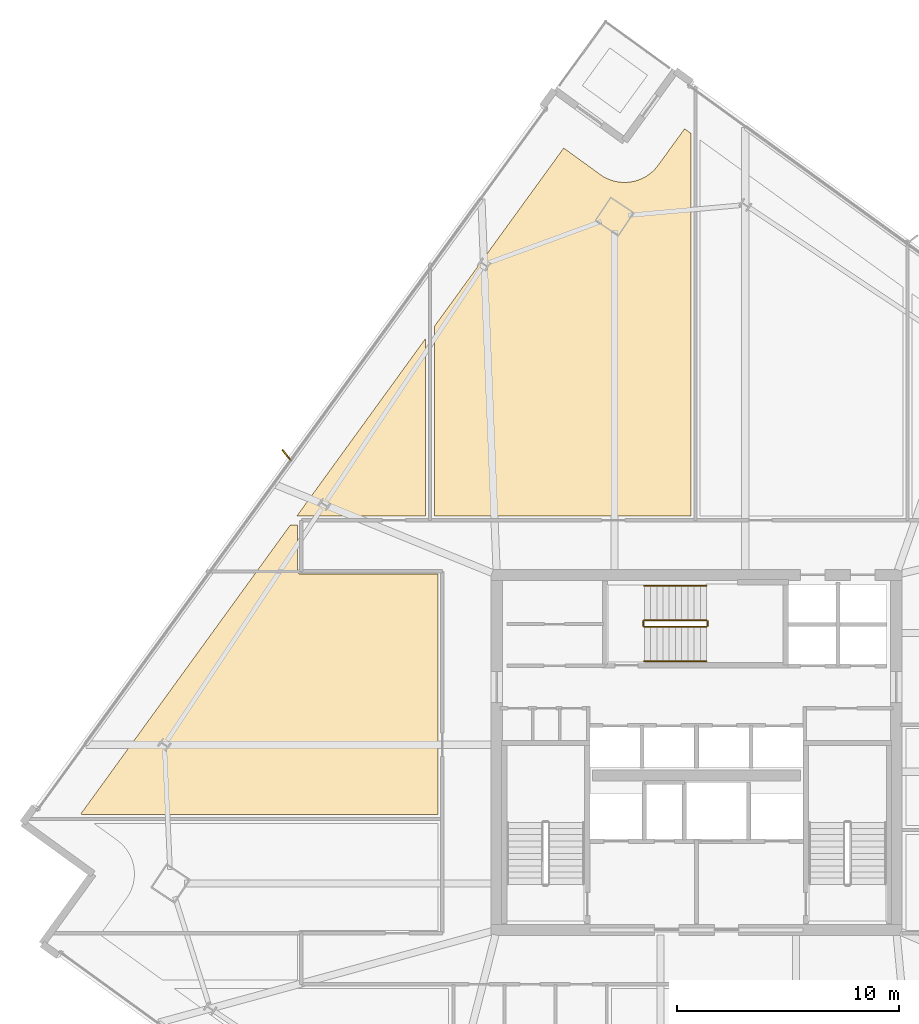
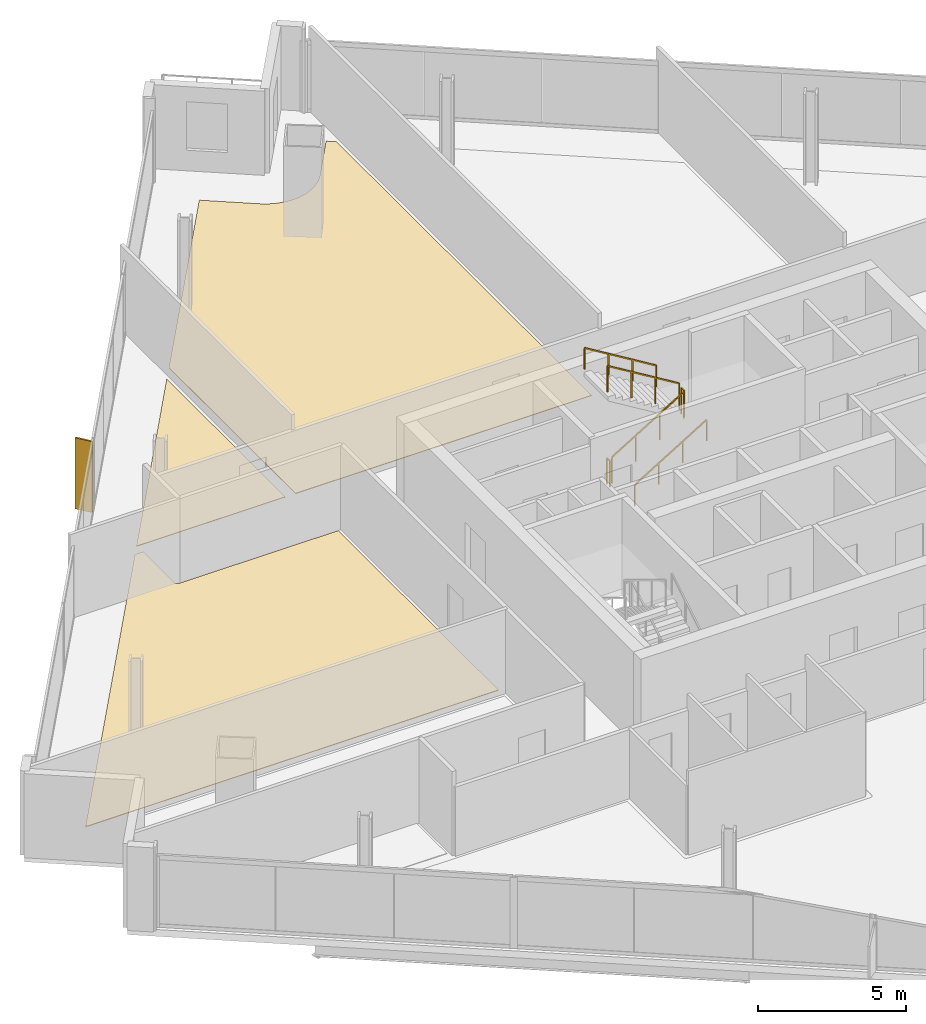
# One storey, part 28 of 29: 6 railings, 3 coverings, 1 shading device.
"""IFC4 building model written with IfcOpenShell, lengths in metres."""

from ifc_helpers import new_model, si_unit, direction, frame, origin, origin_2d, place, context, subcontext, project, spatial, polyline, rectangle, outline, extrude, source, transform, mapped, material, layer, layer_set, type_object, element, save


model = new_model("IFC4")

# Units and contexts
model_context = context("Model", 3, precision=1e-05, world=origin(), true_north=direction((0.0, 1.0)))
body_context = subcontext(model_context, "Body", "Model", "MODEL_VIEW")
ifc_project = project(units=[si_unit("LENGTHUNIT", "METRE"), si_unit("AREAUNIT", "SQUARE_METRE"), si_unit("VOLUMEUNIT", "CUBIC_METRE"), si_unit("PLANEANGLEUNIT", "RADIAN"), si_unit("MASSUNIT", "GRAM", prefix="KILO")], contexts=[model_context])

# Site, building, storey
site_placement = place(None, origin())
site = spatial("IfcSite", under=ifc_project, at=site_placement, CompositionType="ELEMENT")
building_placement = place(site_placement, origin())
building = spatial("IfcBuilding", under=site, at=building_placement, Name="Haldenkirk Collegiate Tower", CompositionType="ELEMENT")
storey_placement = place(building_placement, frame((0.0, 0.0, 209.699951171875)))
storey = spatial("IfcBuildingStorey", under=building, at=storey_placement, Name="L52", CompositionType="ELEMENT", Elevation=209.699951171875)

# Coverings
ifc_material_1 = material(Name="Polished collegiate terrazzo", Category="concrete")
ifc_layer_1 = layer(ifc_material_1, 0.02490234375)
ifc_layer_set_1 = layer_set([ifc_layer_1], Name="Polished collegiate terrazzo")
covering_type_1 = type_object("IfcCoveringType", Name="COV-FLOOR-TERRAZZO", PredefinedType="FLOORING", material=ifc_layer_set_1)
covering_1_placement = place(storey_placement, origin())
element("IfcCovering", 1, at=covering_1_placement, inside=storey, type_object=covering_type_1, Name="L52 academic room finish 04", PredefinedType="FLOORING", context=body_context, shape_type="SweptSolid", body=[
    extrude(outline(polyline([(31.659423828125, 52.03759765625), (31.664306640625, 52.0341796875), (31.80810546875, 51.9404296875), (31.818359375, 51.9345703125), (31.970703125, 51.855224609375), (31.981201171875, 51.85009765625), (32.140625, 51.7861328125), (32.15185546875, 51.782470703125), (32.316650390625, 51.734375), (32.328125, 51.731689453125), (32.4970703125, 51.699951171875), (32.508544921875, 51.6982421875), (32.6796875, 51.683349609375), (32.69140625, 51.682861328125), (32.86328125, 51.6845703125), (32.875, 51.685302734375), (33.045654296875, 51.7041015625), (33.057373046875, 51.705810546875), (33.225341796875, 51.7412109375), (33.23681640625, 51.744140625), (33.400390625, 51.795654296875), (33.41162109375, 51.7998046875), (33.569580078125, 51.8671875), (33.580078125, 51.872314453125), (33.730712890625, 51.955078125), (33.74072265625, 51.961181640625), (33.88232421875, 52.05810546875), (33.891845703125, 52.065185546875), (34.0234375, 52.175537109375), (34.031982421875, 52.18359375), (34.152099609375, 52.30615234375), (34.16015625, 52.315185546875), (34.267578125, 52.448974609375), (34.27099609375, 52.45361328125), (35.462890625, 54.096923828125), (35.75, 53.888916015625), (35.75, 36.64990234375), (24.199951171875, 36.64990234375), (24.199951171875, 45.209716796875), (30.01611328125, 53.2294921875), (31.659423828125, 52.03759765625)])), origin(), (0.0, 0.0, 1.0), 0.025146484375),
])
covering_2_placement = place(storey_placement, origin())
element("IfcCovering", 2, at=covering_2_placement, inside=storey, type_object=covering_type_1, Name="L52 academic room finish 08", PredefinedType="FLOORING", context=body_context, shape_type="SweptSolid", body=[
    extrude(outline(polyline([(8.259033203125, 23.228271484375), (17.702392578125, 36.25), (18.030029296875, 36.25), (18.030029296875, 34.14990234375), (18.030517578125, 34.13818359375), (18.0322265625, 34.126708984375), (18.03515625, 34.115234375), (18.0390625, 34.10400390625), (18.044189453125, 34.093505859375), (18.05029296875, 34.083251953125), (18.05712890625, 34.073974609375), (18.065185546875, 34.065185546875), (18.073974609375, 34.05712890625), (18.083251953125, 34.05029296875), (18.093505859375, 34.044189453125), (18.10400390625, 34.0390625), (18.115234375, 34.03515625), (18.126708984375, 34.0322265625), (18.13818359375, 34.030517578125), (18.14990234375, 34.030029296875), (24.35009765625, 34.030029296875), (24.35009765625, 23.199951171875), (8.2978515625, 23.199951171875), (8.259033203125, 23.228271484375)])), origin(), (0.0, 0.0, 1.0), 0.025146484375),
])
ifc_material_2 = material(Name="Engineered collegiate oak acoustic flooring", Category="wood")
ifc_layer_2 = layer(ifc_material_2, 0.02197265625)
ifc_layer_set_2 = layer_set([ifc_layer_2], Name="Engineered collegiate oak acoustic flooring")
covering_type_2 = type_object("IfcCoveringType", Name="COV-FLOOR-TIMBER", PredefinedType="FLOORING", material=ifc_layer_set_2)
covering_3_placement = place(storey_placement, origin())
element("IfcCovering", 3, at=covering_3_placement, inside=storey, type_object=covering_type_2, Name="L52 academic room finish 03", PredefinedType="FLOORING", context=body_context, shape_type="SweptSolid", body=[
    extrude(outline(polyline([(23.800048828125, 44.657958984375), (23.800048828125, 36.64990234375), (17.99267578125, 36.64990234375), (23.800048828125, 44.657958984375)])), origin(), (0.0, 0.0, 1.0), 0.02197265625),
])

# Railings
ifc_material_3 = material(Name="Painted architectural tubular steel", Category="steel")
railing_type_1 = type_object("IfcRailingType", Name="RLG-STAIR-GUARD-1100", PredefinedType="BALUSTRADE", material=ifc_material_3)
railing_1_placement = place(storey_placement, frame((33.64990234375, 31.64990234375, 0.17041015625)))
element("IfcRailing", 4, at=railing_1_placement, inside=storey, type_object=railing_type_1, Name="L52 ST-3 stair guard 1", PredefinedType="BALUSTRADE", context=body_context, shape_type="SweptSolid", body=[
    extrude(rectangle(XDim=0.048095703125, YDim=0.048095703125, at=origin_2d()), frame((0.0, 0.0, 1.076171875), z_axis=(0.854169791009, 0.0, 0.51999420009), x_axis=(0.0, 1.0, 0.0)), (0.0, 0.0, 1.0), 3.278076171875),
    extrude(rectangle(XDim=0.0419921875, YDim=0.0419921875, at=origin_2d()), origin(), (0.0, 0.0, 1.0), 1.052001953125),
    extrude(rectangle(XDim=0.0419921875, YDim=0.0419921875, at=origin_2d()), frame((0.933349609375, 0.0, 0.568115234375)), (0.0, 0.0, 1.0), 1.052001953125),
    extrude(rectangle(XDim=0.0419921875, YDim=0.0419921875, at=origin_2d()), frame((1.86669921875, 0.0, 1.136474609375)), (0.0, 0.0, 1.0), 1.052001953125),
    extrude(rectangle(XDim=0.0419921875, YDim=0.0419921875, at=origin_2d()), frame((2.800048828125, 0.0, 1.70458984375)), (0.0, 0.0, 1.0), 1.052001953125),
])
railing_2_placement = place(storey_placement, frame((36.5, 31.699951171875, 1.875)))
element("IfcRailing", 5, at=railing_2_placement, inside=storey, type_object=railing_type_1, Name="L52 ST-3 stair guard 2", PredefinedType="BALUSTRADE", context=body_context, shape_type="SweptSolid", body=[
    extrude(rectangle(XDim=0.048095703125, YDim=0.048095703125, at=origin_2d()), frame((0.0, 0.0, 1.076171875), z_axis=(0.0, 1.0, 0.0), x_axis=(-1.0, 0.0, 0.0)), (0.0, 0.0, 1.0), 0.199951171875),
    extrude(rectangle(XDim=0.0419921875, YDim=0.0419921875, at=origin_2d()), origin(), (0.0, 0.0, 1.0), 1.052001953125),
    extrude(rectangle(XDim=0.0419921875, YDim=0.0419921875, at=origin_2d()), frame((0.0, 0.199951171875, 0.0)), (0.0, 0.0, 1.0), 1.052001953125),
])
railing_3_placement = place(storey_placement, frame((36.449951171875, 31.949951171875, 2.04541015625)))
element("IfcRailing", 6, at=railing_3_placement, inside=storey, type_object=railing_type_1, Name="L52 ST-3 stair guard 3", PredefinedType="BALUSTRADE", context=body_context, shape_type="SweptSolid", body=[
    extrude(rectangle(XDim=0.048095703125, YDim=0.048095703125, at=origin_2d()), frame((0.0, 0.0, 1.076171875), z_axis=(-0.854169791009, 0.0, 0.51999420009), x_axis=(0.0, -1.0, 0.0)), (0.0, 0.0, 1.0), 3.278076171875),
    extrude(rectangle(XDim=0.0419921875, YDim=0.0419921875, at=origin_2d()), origin(), (0.0, 0.0, 1.0), 1.052001953125),
    extrude(rectangle(XDim=0.0419921875, YDim=0.0419921875, at=origin_2d()), frame((-0.933349609375, 0.0, 0.568115234375)), (0.0, 0.0, 1.0), 1.052001953125),
    extrude(rectangle(XDim=0.0419921875, YDim=0.0419921875, at=origin_2d()), frame((-1.86669921875, 0.0, 1.136474609375)), (0.0, 0.0, 1.0), 1.052001953125),
    extrude(rectangle(XDim=0.0419921875, YDim=0.0419921875, at=origin_2d()), frame((-2.800048828125, 0.0, 1.70458984375)), (0.0, 0.0, 1.0), 1.052001953125),
])
railing_4_placement = place(storey_placement, frame((33.60009765625, 31.699951171875, 0.0)))
element("IfcRailing", 7, at=railing_4_placement, inside=storey, type_object=railing_type_1, Name="L52 ST-3 stair guard 4", PredefinedType="BALUSTRADE", context=body_context, shape_type="SweptSolid", body=[
    extrude(rectangle(XDim=0.048095703125, YDim=0.048095703125, at=origin_2d()), frame((0.0, 0.0, 1.076171875), z_axis=(0.0, 1.0, 0.0), x_axis=(-1.0, 0.0, 0.0)), (0.0, 0.0, 1.0), 0.199951171875),
    extrude(rectangle(XDim=0.0419921875, YDim=0.0419921875, at=origin_2d()), origin(), (0.0, 0.0, 1.0), 1.052001953125),
    extrude(rectangle(XDim=0.0419921875, YDim=0.0419921875, at=origin_2d()), frame((0.0, 0.199951171875, 0.0)), (0.0, 0.0, 1.0), 1.052001953125),
])
railing_type_2 = type_object("IfcRailingType", Name="RLG-STAIR-HANDRAIL-900", PredefinedType="HANDRAIL", material=ifc_material_3)
railing_5_placement = place(storey_placement, frame((33.64990234375, 30.10009765625, 0.17041015625)))
element("IfcRailing", 8, at=railing_5_placement, inside=storey, type_object=railing_type_2, Name="L52 ST-3 stair handrail 1", PredefinedType="HANDRAIL", context=body_context, shape_type="SweptSolid", body=[
    extrude(rectangle(XDim=0.048095703125, YDim=0.048095703125, at=origin_2d()), frame((0.0, 0.0, 0.8759765625), z_axis=(0.854169791009, 0.0, 0.51999420009), x_axis=(0.0, 1.0, 0.0)), (0.0, 0.0, 1.0), 3.278076171875),
    extrude(rectangle(XDim=0.0419921875, YDim=0.0419921875, at=origin_2d()), origin(), (0.0, 0.0, 1.0), 0.851806640625),
    extrude(rectangle(XDim=0.0419921875, YDim=0.0419921875, at=origin_2d()), frame((0.933349609375, 0.0, 0.568115234375)), (0.0, 0.0, 1.0), 0.851806640625),
    extrude(rectangle(XDim=0.0419921875, YDim=0.0419921875, at=origin_2d()), frame((1.86669921875, 0.0, 1.136474609375)), (0.0, 0.0, 1.0), 0.851806640625),
    extrude(rectangle(XDim=0.0419921875, YDim=0.0419921875, at=origin_2d()), frame((2.800048828125, 0.0, 1.70458984375)), (0.0, 0.0, 1.0), 0.851806640625),
])
railing_6_placement = place(storey_placement, frame((36.449951171875, 33.5, 2.04541015625)))
element("IfcRailing", 9, at=railing_6_placement, inside=storey, type_object=railing_type_2, Name="L52 ST-3 stair handrail 2", PredefinedType="HANDRAIL", context=body_context, shape_type="SweptSolid", body=[
    extrude(rectangle(XDim=0.048095703125, YDim=0.048095703125, at=origin_2d()), frame((0.0, 0.0, 0.8759765625), z_axis=(-0.854169791009, 0.0, 0.51999420009), x_axis=(0.0, -1.0, 0.0)), (0.0, 0.0, 1.0), 3.278076171875),
    extrude(rectangle(XDim=0.0419921875, YDim=0.0419921875, at=origin_2d()), origin(), (0.0, 0.0, 1.0), 0.851806640625),
    extrude(rectangle(XDim=0.0419921875, YDim=0.0419921875, at=origin_2d()), frame((-0.933349609375, 0.0, 0.568115234375)), (0.0, 0.0, 1.0), 0.851806640625),
    extrude(rectangle(XDim=0.0419921875, YDim=0.0419921875, at=origin_2d()), frame((-1.86669921875, 0.0, 1.136474609375)), (0.0, 0.0, 1.0), 0.851806640625),
    extrude(rectangle(XDim=0.0419921875, YDim=0.0419921875, at=origin_2d()), frame((-2.800048828125, 0.0, 1.70458984375)), (0.0, 0.0, 1.0), 0.851806640625),
])

# Shading device
ifc_material_4 = material(Name="Anodised architectural bronze aluminium", Category="aluminium")
ifc_layer_3 = layer(ifc_material_4, 0.06494140625)
ifc_layer_set_3 = layer_set([ifc_layer_3], Name="Anodised architectural bronze aluminium")
shading_device_type = type_object("IfcShadingDeviceType", Name="SHD-FIN-BRONZE-620", PredefinedType="USERDEFINED", material=ifc_layer_set_3)
shared_shape = source(origin(), body_context, "Body", "SweptSolid", [
    extrude(rectangle(XDim=0.6201171875, YDim=0.06494140625, at=origin_2d()), origin(), (0.0, 0.0, 1.0), 2.927978515625),
])
shading_device_placement = place(storey_placement, frame((17.530517578125, 39.394287109375, 0.0), z_axis=(0.0, 0.0, 1.0), x_axis=(-0.616348909921, 0.787473187632, 0.0)))
element("IfcShadingDevice", 10, at=shading_device_placement, inside=storey, type_object=shading_device_type, Name="L52 folded bronze solar fin 1", ObjectType="FIN", PredefinedType="USERDEFINED", context=body_context, shape_type="MappedRepresentation", body=[
    mapped(shared_shape, transform((0.0, 0.0, 0.0), x_axis=(1.0, 0.0, 0.0), y_axis=(0.0, 1.0, 0.0), z_axis=(0.0, 0.0, 1.0), scale=1.0)),
])

save(model, "model.ifc")
